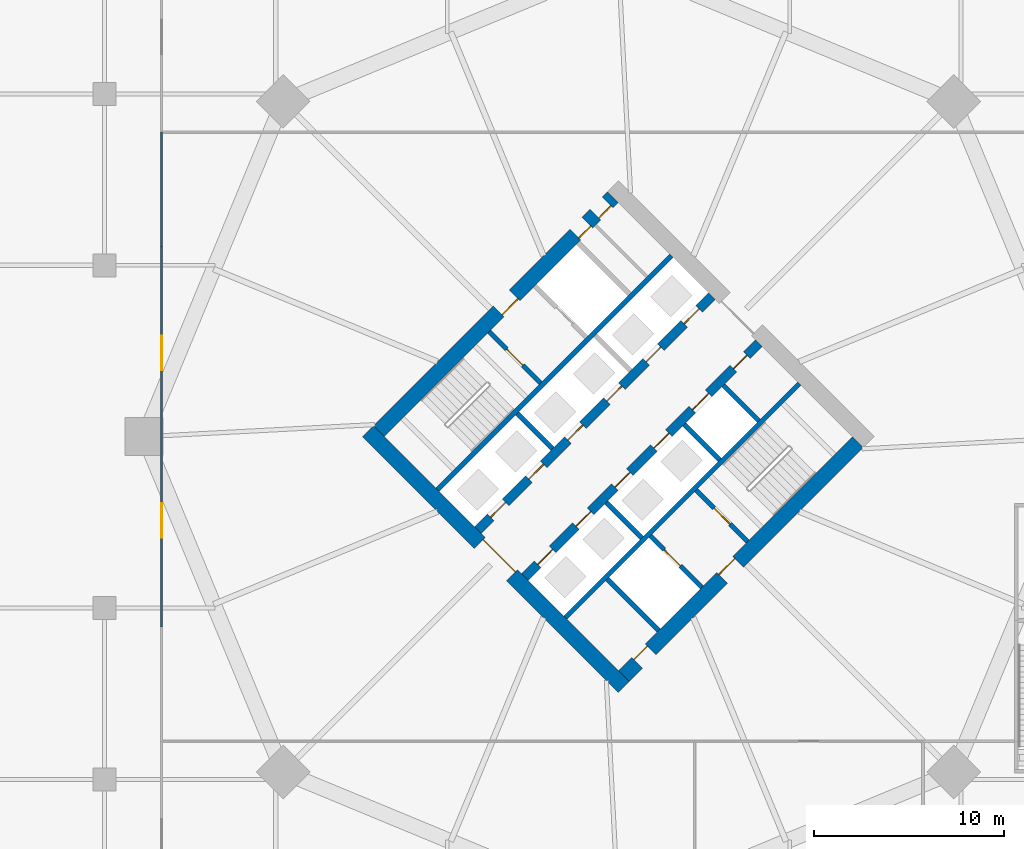
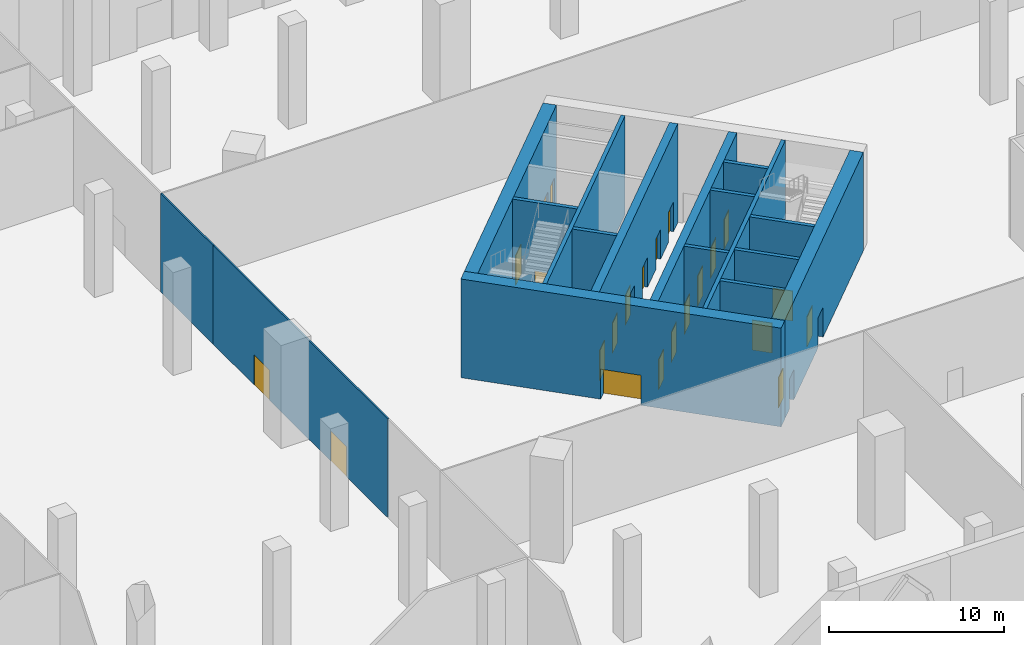
# One storey, part 29 of 48: 23 doors, 17 walls, 23 openings.
"""IFC4 building model written with IfcOpenShell, lengths in metres."""

from ifc_helpers import new_model, si_unit, direction, frame, frame_2d, origin, place, context, subcontext, project, spatial, rectangle, extrude, material, layer, layer_set, type_object, element, fill, save


model = new_model("IFC4")

# Units and contexts
model_context = context("Model", 3, precision=1e-05, world=origin(), true_north=direction((0.0, 1.0)))
body_context = subcontext(model_context, "Body", "Model", "MODEL_VIEW")
ifc_project = project(units=[si_unit("LENGTHUNIT", "METRE"), si_unit("AREAUNIT", "SQUARE_METRE"), si_unit("VOLUMEUNIT", "CUBIC_METRE"), si_unit("PLANEANGLEUNIT", "RADIAN"), si_unit("MASSUNIT", "GRAM", prefix="KILO")], contexts=[model_context])

# Site, building, storey
site_placement = place(None, origin())
site = spatial("IfcSite", under=ifc_project, at=site_placement, CompositionType="ELEMENT")
building_placement = place(site_placement, origin())
building = spatial("IfcBuilding", under=site, at=building_placement, Name="Ogive Gate Towers", CompositionType="ELEMENT")
storey_placement = place(building_placement, origin())
storey = spatial("IfcBuildingStorey", under=building, at=storey_placement, Name="L00", CompositionType="ELEMENT", Elevation=0.0)

# Wall, openings, doors
ifc_material_1 = material(Name="Concrete C60/75", Category="concrete")
ifc_layer_1 = layer(ifc_material_1, 0.800048828125)
ifc_layer_set_1 = layer_set([ifc_layer_1], Name="Core wall 800 mm")
wall_type_1 = type_object("IfcWallType", Name="Core wall 800 mm", PredefinedType="SHEAR", material=ifc_layer_set_1)
wall_1_placement = place(storey_placement, frame((36.28271484375, -12.58642578125, 0.0), z_axis=(0.0, 0.0, 1.0), x_axis=(0.707106781187, 0.707106781187, 0.0)))
wall_1 = element("IfcWall", 1, at=wall_1_placement, inside=storey, type_object=wall_type_1, Name="T2 L00 Core wall 800 mm", PredefinedType="SHEAR", context=body_context, shape_type="SweptSolid", body=[
    extrude(rectangle(XDim=17.400146484375, YDim=0.800048828125, at=frame_2d((8.7001953125, 0.0))), origin(), (0.0, 0.0, 1.0), 6.89990234375),
])
opening_1_placement = place(wall_1_placement, frame((7.300048828125, 0.0, 0.0)))
opening_1 = element("IfcOpeningElement", 2, at=opening_1_placement, cuts=wall_1, Name="Opening KD-T2-L00-20", PredefinedType="OPENING", context=body_context, shape_type="SweptSolid", body=[
    extrude(rectangle(XDim=1.199951171875, YDim=2.10009765625, at=frame_2d((0.60009765625, 1.050048828125))), frame((0.0, 0.41015625, 0.0), z_axis=(0.0, -1.0, 0.0), x_axis=(1.0, 0.0, 0.0)), (0.0, 0.0, 1.0), 0.820068359375),
])
opening_2_placement = place(wall_1_placement, frame((1.0, 0.0, 0.0)))
opening_2 = element("IfcOpeningElement", 3, at=opening_2_placement, cuts=wall_1, Name="Opening KD-T2-L00-23", PredefinedType="OPENING", context=body_context, shape_type="SweptSolid", body=[
    extrude(rectangle(XDim=1.0, YDim=2.10009765625, at=frame_2d((0.5, 1.050048828125))), frame((0.0, 0.41015625, 0.0), z_axis=(0.0, -1.0, 0.0), x_axis=(1.0, 0.0, 0.0)), (0.0, 0.0, 1.0), 0.820068359375),
])
ifc_material_2 = material(Name="Timber door", Category="wood")
door_type_1 = type_object("IfcDoorType", Name="Accessible WC door 1000 x 2100", OperationType="NOTDEFINED", PredefinedType="DOOR", material=ifc_material_2)
door_1_placement = place(opening_2_placement, origin())
door_1 = element("IfcDoor", 4, at=door_1_placement, inside=storey, type_object=door_type_1, Name="T2 L00 Core door", OperationType="SINGLE_SWING_RIGHT", OverallHeight=2.10009765625, OverallWidth=1.0, PredefinedType="DOOR", context=body_context, shape_type="SweptSolid", body=[
    extrude(rectangle(XDim=1.0, YDim=2.10009765625, at=frame_2d((0.5, 1.050048828125))), frame((0.0, 0.27490234375, 0.0), z_axis=(0.0, -1.0, 0.0), x_axis=(1.0, 0.0, 0.0)), (0.0, 0.0, 1.0), 0.050048828125),
])
fill(opening_2, door_1)
ifc_material_3 = material(Name="Steel fire door", Category="steel")
door_type_2 = type_object("IfcDoorType", Name="Core door FD60S 1200 x 2100", OperationType="NOTDEFINED", PredefinedType="DOOR", material=ifc_material_3)
door_2_placement = place(opening_1_placement, origin())
door_2 = element("IfcDoor", 5, at=door_2_placement, inside=storey, type_object=door_type_2, Name="T2 L00 Fire-fighting lobby door", OperationType="SINGLE_SWING_LEFT", OverallHeight=2.10009765625, OverallWidth=1.199951171875, PredefinedType="DOOR", context=body_context, shape_type="SweptSolid", body=[
    extrude(rectangle(XDim=1.199951171875, YDim=2.10009765625, at=frame_2d((0.60009765625, 1.050048828125))), frame((0.0, 0.27490234375, 0.0), z_axis=(0.0, -1.0, 0.0), x_axis=(1.0, 0.0, 0.0)), (0.0, 0.0, 1.0), 0.050048828125),
])
fill(opening_1, door_2)

wall_2_placement = place(storey_placement, frame((23.41357421875, 0.28271484375, 0.0), z_axis=(0.0, 0.0, 1.0), x_axis=(0.707106781187, 0.707106781187, 0.0)))
wall_2 = element("IfcWall", 6, at=wall_2_placement, inside=storey, type_object=wall_type_1, Name="T2 L00 Core wall 800 mm", PredefinedType="SHEAR", context=body_context, shape_type="SweptSolid", body=[
    extrude(rectangle(XDim=17.400146484375, YDim=0.800048828125, at=frame_2d((8.7001953125, 0.0))), origin(), (0.0, 0.0, 1.0), 6.89990234375),
])
opening_3_placement = place(wall_2_placement, frame((8.89990234375, 0.0, 0.0)))
opening_3 = element("IfcOpeningElement", 7, at=opening_3_placement, cuts=wall_2, Name="Opening KD-T2-L00-19", PredefinedType="OPENING", context=body_context, shape_type="SweptSolid", body=[
    extrude(rectangle(XDim=1.199951171875, YDim=2.10009765625, at=frame_2d((0.60009765625, 1.050048828125))), frame((0.0, 0.41015625, 0.0), z_axis=(0.0, -1.0, 0.0), x_axis=(1.0, 0.0, 0.0)), (0.0, 0.0, 1.0), 0.820068359375),
])
opening_4_placement = place(wall_2_placement, frame((14.60009765625, 0.0, 0.0)))
opening_4 = element("IfcOpeningElement", 8, at=opening_4_placement, cuts=wall_2, Name="Opening KD-T2-L00-21", PredefinedType="OPENING", context=body_context, shape_type="SweptSolid", body=[
    extrude(rectangle(XDim=0.89990234375, YDim=2.10009765625, at=frame_2d((0.449951171875, 1.050048828125))), frame((0.0, 0.41015625, 0.0), z_axis=(0.0, -1.0, 0.0), x_axis=(1.0, 0.0, 0.0)), (0.0, 0.0, 1.0), 0.820068359375),
])
opening_5_placement = place(wall_2_placement, frame((16.10009765625, 0.0, 0.0)))
opening_5 = element("IfcOpeningElement", 9, at=opening_5_placement, cuts=wall_2, Name="Opening KD-T2-L00-22", PredefinedType="OPENING", context=body_context, shape_type="SweptSolid", body=[
    extrude(rectangle(XDim=0.89990234375, YDim=2.10009765625, at=frame_2d((0.449951171875, 1.050048828125))), frame((0.0, 0.41015625, 0.0), z_axis=(0.0, -1.0, 0.0), x_axis=(1.0, 0.0, 0.0)), (0.0, 0.0, 1.0), 0.820068359375),
])
door_type_3 = type_object("IfcDoorType", Name="Core WC door 900 x 2100", OperationType="NOTDEFINED", PredefinedType="DOOR", material=ifc_material_2)
door_3_placement = place(opening_4_placement, origin())
door_3 = element("IfcDoor", 10, at=door_3_placement, inside=storey, type_object=door_type_3, Name="T2 L00 Core door", OperationType="SINGLE_SWING_RIGHT", OverallHeight=2.10009765625, OverallWidth=0.89990234375, PredefinedType="DOOR", context=body_context, shape_type="SweptSolid", body=[
    extrude(rectangle(XDim=0.89990234375, YDim=2.10009765625, at=frame_2d((0.449951171875, 1.050048828125))), frame((0.0, -0.22509765625, 0.0), z_axis=(0.0, -1.0, 0.0), x_axis=(1.0, 0.0, 0.0)), (0.0, 0.0, 1.0), 0.050048828125),
])
fill(opening_4, door_3)
door_4_placement = place(opening_5_placement, origin())
door_4 = element("IfcDoor", 11, at=door_4_placement, inside=storey, type_object=door_type_3, Name="T2 L00 Core door", OperationType="SINGLE_SWING_LEFT", OverallHeight=2.10009765625, OverallWidth=0.89990234375, PredefinedType="DOOR", context=body_context, shape_type="SweptSolid", body=[
    extrude(rectangle(XDim=0.89990234375, YDim=2.10009765625, at=frame_2d((0.449951171875, 1.050048828125))), frame((0.0, -0.22509765625, 0.0), z_axis=(0.0, -1.0, 0.0), x_axis=(1.0, 0.0, 0.0)), (0.0, 0.0, 1.0), 0.050048828125),
])
fill(opening_5, door_4)
door_5_placement = place(opening_3_placement, origin())
door_5 = element("IfcDoor", 12, at=door_5_placement, inside=storey, type_object=door_type_2, Name="T2 L00 Fire-fighting lobby door", OperationType="SINGLE_SWING_RIGHT", OverallHeight=2.10009765625, OverallWidth=1.199951171875, PredefinedType="DOOR", context=body_context, shape_type="SweptSolid", body=[
    extrude(rectangle(XDim=1.199951171875, YDim=2.10009765625, at=frame_2d((0.60009765625, 1.050048828125))), frame((0.0, -0.22509765625, 0.0), z_axis=(0.0, -1.0, 0.0), x_axis=(1.0, 0.0, 0.0)), (0.0, 0.0, 1.0), 0.050048828125),
])
fill(opening_3, door_5)

# Wall, opening, door
wall_3_placement = place(storey_placement, frame((36.28271484375, -13.152099609375, 0.0), z_axis=(0.0, 0.0, 1.0), x_axis=(-0.707106781187, 0.707106781187, 0.0)))
wall_3 = element("IfcWall", 13, at=wall_3_placement, inside=storey, type_object=wall_type_1, Name="T2 L00 Core wall 800 mm", PredefinedType="SHEAR", context=body_context, shape_type="SweptSolid", body=[
    extrude(rectangle(XDim=18.999755859375, YDim=0.800048828125, at=frame_2d((9.5, 0.0))), origin(), (0.0, 0.0, 1.0), 6.89990234375),
])
opening_6_placement = place(wall_3_placement, frame((8.300048828125, 0.0, 0.0)))
opening_6 = element("IfcOpeningElement", 14, at=opening_6_placement, cuts=wall_3, Name="Opening KD-T2-L00-01", PredefinedType="OPENING", context=body_context, shape_type="SweptSolid", body=[
    extrude(rectangle(XDim=2.39990234375, YDim=2.10009765625, at=frame_2d((1.199951171875, 1.050048828125))), frame((0.0, 0.41015625, 0.0), z_axis=(0.0, -1.0, 0.0), x_axis=(1.0, 0.0, 0.0)), (0.0, 0.0, 1.0), 0.820068359375),
])
door_type_4 = type_object("IfcDoorType", Name="Core double door FD60S 2400 x 2100", OperationType="DOUBLE_DOOR_SINGLE_SWING", PredefinedType="DOOR", material=ifc_material_3)
door_6_placement = place(opening_6_placement, origin())
door_6 = element("IfcDoor", 15, at=door_6_placement, inside=storey, type_object=door_type_4, Name="T2 L00 Core door double", OperationType="DOUBLE_DOOR_SINGLE_SWING", OverallHeight=2.10009765625, OverallWidth=2.39990234375, PredefinedType="DOOR", context=body_context, shape_type="SweptSolid", body=[
    extrude(rectangle(XDim=2.39990234375, YDim=2.10009765625, at=frame_2d((1.199951171875, 1.050048828125))), frame((0.0, -0.22509765625, 0.0), z_axis=(0.0, -1.0, 0.0), x_axis=(1.0, 0.0, 0.0)), (0.0, 0.0, 1.0), 0.050048828125),
])
fill(opening_6, door_6)

# Wall
ifc_material_4 = material(Name="Gypsum board partition")
ifc_layer_2 = layer(ifc_material_4, 0.10009765625)
ifc_layer_set_2 = layer_set([ifc_layer_2], Name="Partition wall 100")
wall_type_2 = type_object("IfcWallType", Name="Partition wall 100", PredefinedType="PARTITIONING", material=ifc_layer_set_2)
wall_4_placement = place(storey_placement, frame((12.0, 10.0, 0.0), z_axis=(0.0, 0.0, 1.0), x_axis=(0.0, 1.0, 0.0)))
element("IfcWall", 16, at=wall_4_placement, inside=storey, type_object=wall_type_2, Name="L00 partition 025", PredefinedType="PARTITIONING", context=body_context, shape_type="SweptSolid", body=[
    extrude(rectangle(XDim=6.0, YDim=0.10009765625, at=frame_2d((3.0, 0.0))), origin(), (0.0, 0.0, 1.0), 6.89990234375),
])

# Wall, openings, doors
wall_5_placement = place(storey_placement, frame((12.0, -10.0, 0.0), z_axis=(0.0, 0.0, 1.0), x_axis=(0.0, 1.0, 0.0)))
wall_5 = element("IfcWall", 17, at=wall_5_placement, inside=storey, type_object=wall_type_2, Name="L00 partition 035", PredefinedType="PARTITIONING", context=body_context, shape_type="SweptSolid", body=[
    extrude(rectangle(XDim=20.0, YDim=0.10009765625, at=frame_2d((10.0, 0.0))), origin(), (0.0, 0.0, 1.0), 6.89990234375),
])
opening_7_placement = place(wall_5_placement, frame((4.699951171875, 0.0, 0.0)))
opening_7 = element("IfcOpeningElement", 18, at=opening_7_placement, cuts=wall_5, Name="Opening PO114", PredefinedType="OPENING", context=body_context, shape_type="SweptSolid", body=[
    extrude(rectangle(XDim=1.800048828125, YDim=2.10009765625, at=frame_2d((0.89990234375, 1.050048828125))), frame((0.0, 0.06005859375, 0.0), z_axis=(0.0, -1.0, 0.0), x_axis=(1.0, 0.0, 0.0)), (0.0, 0.0, 1.0), 0.1201171875),
])
opening_8_placement = place(wall_5_placement, frame((13.5, 0.0, 0.0)))
opening_8 = element("IfcOpeningElement", 19, at=opening_8_placement, cuts=wall_5, Name="Opening PO115", PredefinedType="OPENING", context=body_context, shape_type="SweptSolid", body=[
    extrude(rectangle(XDim=1.800048828125, YDim=2.10009765625, at=frame_2d((0.89990234375, 1.050048828125))), frame((0.0, 0.06005859375, 0.0), z_axis=(0.0, -1.0, 0.0), x_axis=(1.0, 0.0, 0.0)), (0.0, 0.0, 1.0), 0.1201171875),
])
door_type_5 = type_object("IfcDoorType", Name="Double door 1800 x 2100", OperationType="NOTDEFINED", PredefinedType="DOOR", material=ifc_material_2)
door_7_placement = place(opening_7_placement, origin())
door_7 = element("IfcDoor", 20, at=door_7_placement, inside=storey, type_object=door_type_5, Name="Door PO114", OperationType="DOUBLE_DOOR_DOUBLE_SWING", OverallHeight=2.10009765625, OverallWidth=1.800048828125, PredefinedType="DOOR", context=body_context, shape_type="SweptSolid", body=[
    extrude(rectangle(XDim=1.800048828125, YDim=2.10009765625, at=frame_2d((0.89990234375, 1.050048828125))), frame((0.0, 0.02490234375, 0.0), z_axis=(0.0, -1.0, 0.0), x_axis=(1.0, 0.0, 0.0)), (0.0, 0.0, 1.0), 0.050048828125),
])
fill(opening_7, door_7)
door_8_placement = place(opening_8_placement, origin())
door_8 = element("IfcDoor", 21, at=door_8_placement, inside=storey, type_object=door_type_5, Name="Door PO115", OperationType="DOUBLE_DOOR_DOUBLE_SWING", OverallHeight=2.10009765625, OverallWidth=1.800048828125, PredefinedType="DOOR", context=body_context, shape_type="SweptSolid", body=[
    extrude(rectangle(XDim=1.800048828125, YDim=2.10009765625, at=frame_2d((0.89990234375, 1.050048828125))), frame((0.0, 0.02490234375, 0.0), z_axis=(0.0, -1.0, 0.0), x_axis=(1.0, 0.0, 0.0)), (0.0, 0.0, 1.0), 0.050048828125),
])
fill(opening_8, door_8)

# Walls
ifc_layer_3 = layer(ifc_material_1, 0.25)
ifc_layer_set_3 = layer_set([ifc_layer_3], Name="Shaft wall 250 mm")
wall_type_3 = type_object("IfcWallType", Name="Shaft wall 250 mm", PredefinedType="SHEAR", material=ifc_layer_set_3)
for number, where, z_axis, x_axis, name in (
    (22, (33.206787109375, -9.510498046875, 0.0), (0.0, 0.0, 1.0), (0.707106781187, 0.707106781187, 0.0), "T2 L00 Shaft wall 250 mm"),
    (23, (26.489501953125, -2.793212890625, 0.0), (0.0, 0.0, 1.0), (0.707106781187, 0.707106781187, 0.0), "T2 L00 Shaft wall 250 mm"),
):
    element("IfcWall", number, at=place(storey_placement, frame(where, z_axis=z_axis, x_axis=x_axis)), inside=storey, type_object=wall_type_3, Name=name, PredefinedType="SHEAR", context=body_context, shape_type="SweptSolid", body=[
        extrude(rectangle(XDim=17.400146484375, YDim=0.25, at=frame_2d((8.7001953125, 0.0))), origin(), (0.0, 0.0, 1.0), 6.89990234375),
    ])
wall_6_placement = place(storey_placement, frame((38.121337890625, -10.182373046875, 0.0), z_axis=(0.0, 0.0, 1.0), x_axis=(-0.707138693938, 0.707074866995, 0.0)))
element("IfcWall", 24, at=wall_6_placement, inside=storey, type_object=wall_type_3, Name="T2 L00 Shaft wall 250 mm", PredefinedType="SHEAR", context=body_context, shape_type="SweptSolid", body=[
    extrude(rectangle(XDim=3.824951171875, YDim=0.25, at=frame_2d((1.91259765625, 0.0))), origin(), (0.0, 0.0, 1.0), 6.89990234375),
])
for number, where, z_axis, x_axis, name in (
    (25, (37.2197265625, -5.321044921875, 0.0), (0.0, 0.0, 1.0), (-0.707106781187, 0.707106781187, 0.0), "T2 L00 Shaft wall 250 mm"),
    (26, (32.53515625, -0.636474609375, 0.0), (0.0, 0.0, 1.0), (-0.707106781187, 0.707106781187, 0.0), "T2 L00 Shaft wall 250 mm"),
):
    element("IfcWall", number, at=place(storey_placement, frame(where, z_axis=z_axis, x_axis=x_axis)), inside=storey, type_object=wall_type_3, Name=name, PredefinedType="SHEAR", context=body_context, shape_type="SweptSolid", body=[
        extrude(rectangle(XDim=2.625, YDim=0.25, at=frame_2d((1.3125, 0.0))), origin(), (0.0, 0.0, 1.0), 6.89990234375),
    ])

# Wall, opening, door
wall_7_placement = place(storey_placement, frame((40.384033203125, -7.919677734375, 0.0), z_axis=(0.0, 0.0, 1.0), x_axis=(-0.707074866995, 0.707138693938, 0.0)))
wall_7 = element("IfcWall", 27, at=wall_7_placement, inside=storey, type_object=wall_type_3, Name="T2 L00 Shaft wall 250 mm", PredefinedType="SHEAR", context=body_context, shape_type="SweptSolid", body=[
    extrude(rectangle(XDim=3.824951171875, YDim=0.25, at=frame_2d((1.91259765625, 0.0))), origin(), (0.0, 0.0, 1.0), 6.89990234375),
])
opening_9_placement = place(wall_7_placement, frame((1.60009765625, 0.0, 0.0)))
opening_9 = element("IfcOpeningElement", 28, at=opening_9_placement, cuts=wall_7, Name="Opening LD-T2-L00-15", PredefinedType="OPENING", context=body_context, shape_type="SweptSolid", body=[
    extrude(rectangle(XDim=1.199951171875, YDim=2.10009765625, at=frame_2d((0.60009765625, 1.050048828125))), frame((0.0, 0.135009765625, 0.0), z_axis=(0.0, -1.0, 0.0), x_axis=(1.0, 0.0, 0.0)), (0.0, 0.0, 1.0), 0.27001953125),
])
ifc_material_5 = material(Name="Stainless steel landing door", Category="steel")
door_type_6 = type_object("IfcDoorType", Name="Landing door 1200 x 2100", OperationType="SLIDING_TO_LEFT", PredefinedType="DOOR", material=ifc_material_5)
door_9_placement = place(opening_9_placement, origin())
door_9 = element("IfcDoor", 29, at=door_9_placement, inside=storey, type_object=door_type_6, Name="T2 L00 Lift landing door FF2", OperationType="SLIDING_TO_LEFT", OverallHeight=2.10009765625, OverallWidth=1.199951171875, PredefinedType="DOOR", context=body_context, shape_type="SweptSolid", body=[
    extrude(rectangle(XDim=1.199951171875, YDim=2.10009765625, at=frame_2d((0.60009765625, 1.050048828125))), frame((0.0, 0.02490234375, 0.0), z_axis=(0.0, -1.0, 0.0), x_axis=(1.0, 0.0, 0.0)), (0.0, 0.0, 1.0), 0.050048828125),
])
fill(opening_9, door_9)

wall_8_placement = place(storey_placement, frame((31.91650390625, 2.810791015625, 0.0), z_axis=(0.0, 0.0, 1.0), x_axis=(-0.707106781187, 0.707106781187, 0.0)))
wall_8 = element("IfcWall", 30, at=wall_8_placement, inside=storey, type_object=wall_type_3, Name="T2 L00 Shaft wall 250 mm", PredefinedType="SHEAR", context=body_context, shape_type="SweptSolid", body=[
    extrude(rectangle(XDim=3.824951171875, YDim=0.25, at=frame_2d((1.91259765625, 0.0))), origin(), (0.0, 0.0, 1.0), 6.89990234375),
])
opening_10_placement = place(wall_8_placement, frame((1.324951171875, 0.0, 0.0)))
opening_10 = element("IfcOpeningElement", 31, at=opening_10_placement, cuts=wall_8, Name="Opening KD-T2-L00-17", PredefinedType="OPENING", context=body_context, shape_type="SweptSolid", body=[
    extrude(rectangle(XDim=1.199951171875, YDim=2.10009765625, at=frame_2d((0.60009765625, 1.050048828125))), frame((0.0, 0.135009765625, 0.0), z_axis=(0.0, -1.0, 0.0), x_axis=(1.0, 0.0, 0.0)), (0.0, 0.0, 1.0), 0.27001953125),
])
door_10_placement = place(opening_10_placement, origin())
door_10 = element("IfcDoor", 32, at=door_10_placement, inside=storey, type_object=door_type_2, Name="T2 L00 Stair door", OperationType="SINGLE_SWING_RIGHT", OverallHeight=2.10009765625, OverallWidth=1.199951171875, PredefinedType="DOOR", context=body_context, shape_type="SweptSolid", body=[
    extrude(rectangle(XDim=1.199951171875, YDim=2.10009765625, at=frame_2d((0.60009765625, 1.050048828125))), frame((0.0, 0.02490234375, 0.0), z_axis=(0.0, -1.0, 0.0), x_axis=(1.0, 0.0, 0.0)), (0.0, 0.0, 1.0), 0.050048828125),
])
fill(opening_10, door_10)

wall_9_placement = place(storey_placement, frame((42.7880859375, -5.515380859375, 0.0), z_axis=(0.0, 0.0, 1.0), x_axis=(-0.707106781187, 0.707106781187, 0.0)))
wall_9 = element("IfcWall", 33, at=wall_9_placement, inside=storey, type_object=wall_type_3, Name="T2 L00 Shaft wall 250 mm", PredefinedType="SHEAR", context=body_context, shape_type="SweptSolid", body=[
    extrude(rectangle(XDim=3.824951171875, YDim=0.25, at=frame_2d((1.91259765625, 0.0))), origin(), (0.0, 0.0, 1.0), 6.89990234375),
])
opening_11_placement = place(wall_9_placement, frame((1.300048828125, 0.0, 0.0)))
opening_11 = element("IfcOpeningElement", 34, at=opening_11_placement, cuts=wall_9, Name="Opening KD-T2-L00-18", PredefinedType="OPENING", context=body_context, shape_type="SweptSolid", body=[
    extrude(rectangle(XDim=1.199951171875, YDim=2.10009765625, at=frame_2d((0.60009765625, 1.050048828125))), frame((0.0, 0.135009765625, 0.0), z_axis=(0.0, -1.0, 0.0), x_axis=(1.0, 0.0, 0.0)), (0.0, 0.0, 1.0), 0.27001953125),
])
door_11_placement = place(opening_11_placement, origin())
door_11 = element("IfcDoor", 35, at=door_11_placement, inside=storey, type_object=door_type_2, Name="T2 L00 Stair door", OperationType="SINGLE_SWING_LEFT", OverallHeight=2.10009765625, OverallWidth=1.199951171875, PredefinedType="DOOR", context=body_context, shape_type="SweptSolid", body=[
    extrude(rectangle(XDim=1.199951171875, YDim=2.10009765625, at=frame_2d((0.60009765625, 1.050048828125))), frame((0.0, 0.02490234375, 0.0), z_axis=(0.0, -1.0, 0.0), x_axis=(1.0, 0.0, 0.0)), (0.0, 0.0, 1.0), 0.050048828125),
])
fill(opening_11, door_11)

# Walls
for number, where, z_axis, x_axis, name in (
    (36, (41.321044921875, -1.2197265625, 0.0), (0.0, 0.0, 1.0), (-0.707106781187, 0.707106781187, 0.0), "T2 L00 Shaft wall 250 mm"),
    (37, (43.37158203125, 0.830810546875, 0.0), (0.0, 0.0, 1.0), (-0.707106781187, 0.707106781187, 0.0), "T2 L00 Shaft wall 250 mm"),
):
    element("IfcWall", number, at=place(storey_placement, frame(where, z_axis=z_axis, x_axis=x_axis)), inside=storey, type_object=wall_type_3, Name=name, PredefinedType="SHEAR", context=body_context, shape_type="SweptSolid", body=[
        extrude(rectangle(XDim=2.625, YDim=0.25, at=frame_2d((1.3125, 0.0))), origin(), (0.0, 0.0, 1.0), 6.89990234375),
    ])

# Wall, openings, doors
ifc_layer_4 = layer(ifc_material_1, 0.5)
ifc_layer_set_4 = layer_set([ifc_layer_4], Name="Spine wall 500 mm")
wall_type_4 = type_object("IfcWallType", Name="Spine wall 500 mm", PredefinedType="SHEAR", material=ifc_layer_set_4)
wall_10_placement = place(storey_placement, frame((31.085693359375, -7.389404296875, 0.0), z_axis=(0.0, 0.0, 1.0), x_axis=(0.707106781187, 0.707106781187, 0.0)))
wall_10 = element("IfcWall", 38, at=wall_10_placement, inside=storey, type_object=wall_type_4, Name="T2 L00 Spine wall 500 mm", PredefinedType="SHEAR", context=body_context, shape_type="SweptSolid", body=[
    extrude(rectangle(XDim=17.400146484375, YDim=0.5, at=frame_2d((8.7001953125, 0.0))), origin(), (0.0, 0.0, 1.0), 6.89990234375),
])
opening_12_placement = place(wall_10_placement, frame((0.96240234375, 0.0, 0.0)))
opening_12 = element("IfcOpeningElement", 39, at=opening_12_placement, cuts=wall_10, Name="Opening LD-T2-L00-09", PredefinedType="OPENING", context=body_context, shape_type="SweptSolid", body=[
    extrude(rectangle(XDim=1.10009765625, YDim=2.10009765625, at=frame_2d((0.550048828125, 1.050048828125))), frame((0.0, 0.260009765625, 0.0), z_axis=(0.0, -1.0, 0.0), x_axis=(1.0, 0.0, 0.0)), (0.0, 0.0, 1.0), 0.52001953125),
])
opening_13_placement = place(wall_10_placement, frame((3.800048828125, 0.0, 0.0)))
opening_13 = element("IfcOpeningElement", 40, at=opening_13_placement, cuts=wall_10, Name="Opening LD-T2-L00-10", PredefinedType="OPENING", context=body_context, shape_type="SweptSolid", body=[
    extrude(rectangle(XDim=1.10009765625, YDim=2.10009765625, at=frame_2d((0.550048828125, 1.050048828125))), frame((0.0, 0.260009765625, 0.0), z_axis=(0.0, -1.0, 0.0), x_axis=(1.0, 0.0, 0.0)), (0.0, 0.0, 1.0), 0.52001953125),
])
opening_14_placement = place(wall_10_placement, frame((6.699951171875, 0.0, 0.0)))
opening_14 = element("IfcOpeningElement", 41, at=opening_14_placement, cuts=wall_10, Name="Opening LD-T2-L00-11", PredefinedType="OPENING", context=body_context, shape_type="SweptSolid", body=[
    extrude(rectangle(XDim=1.10009765625, YDim=2.10009765625, at=frame_2d((0.550048828125, 1.050048828125))), frame((0.0, 0.260009765625, 0.0), z_axis=(0.0, -1.0, 0.0), x_axis=(1.0, 0.0, 0.0)), (0.0, 0.0, 1.0), 0.52001953125),
])
opening_15_placement = place(wall_10_placement, frame((9.60009765625, 0.0, 0.0)))
opening_15 = element("IfcOpeningElement", 42, at=opening_15_placement, cuts=wall_10, Name="Opening LD-T2-L00-12", PredefinedType="OPENING", context=body_context, shape_type="SweptSolid", body=[
    extrude(rectangle(XDim=1.10009765625, YDim=2.10009765625, at=frame_2d((0.550048828125, 1.050048828125))), frame((0.0, 0.260009765625, 0.0), z_axis=(0.0, -1.0, 0.0), x_axis=(1.0, 0.0, 0.0)), (0.0, 0.0, 1.0), 0.52001953125),
])
opening_16_placement = place(wall_10_placement, frame((12.449951171875, 0.0, 0.0)))
opening_16 = element("IfcOpeningElement", 43, at=opening_16_placement, cuts=wall_10, Name="Opening LD-T2-L00-13", PredefinedType="OPENING", context=body_context, shape_type="SweptSolid", body=[
    extrude(rectangle(XDim=1.199951171875, YDim=2.10009765625, at=frame_2d((0.60009765625, 1.050048828125))), frame((0.0, 0.260009765625, 0.0), z_axis=(0.0, -1.0, 0.0), x_axis=(1.0, 0.0, 0.0)), (0.0, 0.0, 1.0), 0.52001953125),
])
opening_17_placement = place(wall_10_placement, frame((15.5, 0.0, 0.0)))
opening_17 = element("IfcOpeningElement", 44, at=opening_17_placement, cuts=wall_10, Name="Opening KD-T2-L00-16", PredefinedType="OPENING", context=body_context, shape_type="SweptSolid", body=[
    extrude(rectangle(XDim=1.0, YDim=2.10009765625, at=frame_2d((0.5, 1.050048828125))), frame((0.0, 0.260009765625, 0.0), z_axis=(0.0, -1.0, 0.0), x_axis=(1.0, 0.0, 0.0)), (0.0, 0.0, 1.0), 0.52001953125),
])
door_type_7 = type_object("IfcDoorType", Name="Core door FD60S 1000 x 2100", OperationType="NOTDEFINED", PredefinedType="DOOR", material=ifc_material_3)
door_12_placement = place(opening_17_placement, origin())
door_12 = element("IfcDoor", 45, at=door_12_placement, inside=storey, type_object=door_type_7, Name="T2 L00 Core door", OperationType="SINGLE_SWING_LEFT", OverallHeight=2.10009765625, OverallWidth=1.0, PredefinedType="DOOR", context=body_context, shape_type="SweptSolid", body=[
    extrude(rectangle(XDim=1.0, YDim=2.10009765625, at=frame_2d((0.5, 1.050048828125))), frame((0.0, 0.02490234375, 0.0), z_axis=(0.0, -1.0, 0.0), x_axis=(1.0, 0.0, 0.0)), (0.0, 0.0, 1.0), 0.050048828125),
])
fill(opening_17, door_12)
door_type_8 = type_object("IfcDoorType", Name="Landing door 1100 x 2100", OperationType="SLIDING_TO_LEFT", PredefinedType="DOOR", material=ifc_material_5)
door_13_placement = place(opening_12_placement, origin())
door_13 = element("IfcDoor", 46, at=door_13_placement, inside=storey, type_object=door_type_8, Name="T2 L00 Lift landing door S1", OperationType="SLIDING_TO_LEFT", OverallHeight=2.10009765625, OverallWidth=1.10009765625, PredefinedType="DOOR", context=body_context, shape_type="SweptSolid", body=[
    extrude(rectangle(XDim=1.10009765625, YDim=2.10009765625, at=frame_2d((0.550048828125, 1.050048828125))), frame((0.0, 0.02490234375, 0.0), z_axis=(0.0, -1.0, 0.0), x_axis=(1.0, 0.0, 0.0)), (0.0, 0.0, 1.0), 0.050048828125),
])
fill(opening_12, door_13)
door_14_placement = place(opening_13_placement, origin())
door_14 = element("IfcDoor", 47, at=door_14_placement, inside=storey, type_object=door_type_8, Name="T2 L00 Lift landing door S2", OperationType="SLIDING_TO_LEFT", OverallHeight=2.10009765625, OverallWidth=1.10009765625, PredefinedType="DOOR", context=body_context, shape_type="SweptSolid", body=[
    extrude(rectangle(XDim=1.10009765625, YDim=2.10009765625, at=frame_2d((0.550048828125, 1.050048828125))), frame((0.0, 0.02490234375, 0.0), z_axis=(0.0, -1.0, 0.0), x_axis=(1.0, 0.0, 0.0)), (0.0, 0.0, 1.0), 0.050048828125),
])
fill(opening_13, door_14)
door_15_placement = place(opening_14_placement, origin())
door_15 = element("IfcDoor", 48, at=door_15_placement, inside=storey, type_object=door_type_8, Name="T2 L00 Lift landing door S3", OperationType="SLIDING_TO_LEFT", OverallHeight=2.10009765625, OverallWidth=1.10009765625, PredefinedType="DOOR", context=body_context, shape_type="SweptSolid", body=[
    extrude(rectangle(XDim=1.10009765625, YDim=2.10009765625, at=frame_2d((0.550048828125, 1.050048828125))), frame((0.0, 0.02490234375, 0.0), z_axis=(0.0, -1.0, 0.0), x_axis=(1.0, 0.0, 0.0)), (0.0, 0.0, 1.0), 0.050048828125),
])
fill(opening_14, door_15)
door_16_placement = place(opening_15_placement, origin())
door_16 = element("IfcDoor", 49, at=door_16_placement, inside=storey, type_object=door_type_8, Name="T2 L00 Lift landing door S4", OperationType="SLIDING_TO_LEFT", OverallHeight=2.10009765625, OverallWidth=1.10009765625, PredefinedType="DOOR", context=body_context, shape_type="SweptSolid", body=[
    extrude(rectangle(XDim=1.10009765625, YDim=2.10009765625, at=frame_2d((0.550048828125, 1.050048828125))), frame((0.0, 0.02490234375, 0.0), z_axis=(0.0, -1.0, 0.0), x_axis=(1.0, 0.0, 0.0)), (0.0, 0.0, 1.0), 0.050048828125),
])
fill(opening_15, door_16)
door_17_placement = place(opening_16_placement, origin())
door_17 = element("IfcDoor", 50, at=door_17_placement, inside=storey, type_object=door_type_6, Name="T2 L00 Lift landing door SVC", OperationType="SLIDING_TO_LEFT", OverallHeight=2.10009765625, OverallWidth=1.199951171875, PredefinedType="DOOR", context=body_context, shape_type="SweptSolid", body=[
    extrude(rectangle(XDim=1.199951171875, YDim=2.10009765625, at=frame_2d((0.60009765625, 1.050048828125))), frame((0.0, 0.02490234375, 0.0), z_axis=(0.0, -1.0, 0.0), x_axis=(1.0, 0.0, 0.0)), (0.0, 0.0, 1.0), 0.050048828125),
])
fill(opening_16, door_17)

wall_11_placement = place(storey_placement, frame((28.610595703125, -4.914306640625, 0.0), z_axis=(0.0, 0.0, 1.0), x_axis=(0.707106781187, 0.707106781187, 0.0)))
wall_11 = element("IfcWall", 51, at=wall_11_placement, inside=storey, type_object=wall_type_4, Name="T2 L00 Spine wall 500 mm", PredefinedType="SHEAR", context=body_context, shape_type="SweptSolid", body=[
    extrude(rectangle(XDim=17.400146484375, YDim=0.5, at=frame_2d((8.7001953125, 0.0))), origin(), (0.0, 0.0, 1.0), 6.89990234375),
])
opening_18_placement = place(wall_11_placement, frame((0.96240234375, 0.0, 0.0)))
opening_18 = element("IfcOpeningElement", 52, at=opening_18_placement, cuts=wall_11, Name="Opening LD-T2-L00-03", PredefinedType="OPENING", context=body_context, shape_type="SweptSolid", body=[
    extrude(rectangle(XDim=1.10009765625, YDim=2.10009765625, at=frame_2d((0.550048828125, 1.050048828125))), frame((0.0, 0.260009765625, 0.0), z_axis=(0.0, -1.0, 0.0), x_axis=(1.0, 0.0, 0.0)), (0.0, 0.0, 1.0), 0.52001953125),
])
opening_19_placement = place(wall_11_placement, frame((3.800048828125, 0.0, 0.0)))
opening_19 = element("IfcOpeningElement", 53, at=opening_19_placement, cuts=wall_11, Name="Opening LD-T2-L00-04", PredefinedType="OPENING", context=body_context, shape_type="SweptSolid", body=[
    extrude(rectangle(XDim=1.10009765625, YDim=2.10009765625, at=frame_2d((0.550048828125, 1.050048828125))), frame((0.0, 0.260009765625, 0.0), z_axis=(0.0, -1.0, 0.0), x_axis=(1.0, 0.0, 0.0)), (0.0, 0.0, 1.0), 0.52001953125),
])
opening_20_placement = place(wall_11_placement, frame((6.699951171875, 0.0, 0.0)))
opening_20 = element("IfcOpeningElement", 54, at=opening_20_placement, cuts=wall_11, Name="Opening LD-T2-L00-05", PredefinedType="OPENING", context=body_context, shape_type="SweptSolid", body=[
    extrude(rectangle(XDim=1.10009765625, YDim=2.10009765625, at=frame_2d((0.550048828125, 1.050048828125))), frame((0.0, 0.260009765625, 0.0), z_axis=(0.0, -1.0, 0.0), x_axis=(1.0, 0.0, 0.0)), (0.0, 0.0, 1.0), 0.52001953125),
])
opening_21_placement = place(wall_11_placement, frame((9.60009765625, 0.0, 0.0)))
opening_21 = element("IfcOpeningElement", 55, at=opening_21_placement, cuts=wall_11, Name="Opening LD-T2-L00-06", PredefinedType="OPENING", context=body_context, shape_type="SweptSolid", body=[
    extrude(rectangle(XDim=1.10009765625, YDim=2.10009765625, at=frame_2d((0.550048828125, 1.050048828125))), frame((0.0, 0.260009765625, 0.0), z_axis=(0.0, -1.0, 0.0), x_axis=(1.0, 0.0, 0.0)), (0.0, 0.0, 1.0), 0.52001953125),
])
opening_22_placement = place(wall_11_placement, frame((12.5, 0.0, 0.0)))
opening_22 = element("IfcOpeningElement", 56, at=opening_22_placement, cuts=wall_11, Name="Opening LD-T2-L00-07", PredefinedType="OPENING", context=body_context, shape_type="SweptSolid", body=[
    extrude(rectangle(XDim=1.10009765625, YDim=2.10009765625, at=frame_2d((0.550048828125, 1.050048828125))), frame((0.0, 0.260009765625, 0.0), z_axis=(0.0, -1.0, 0.0), x_axis=(1.0, 0.0, 0.0)), (0.0, 0.0, 1.0), 0.52001953125),
])
opening_23_placement = place(wall_11_placement, frame((15.33740234375, 0.0, 0.0)))
opening_23 = element("IfcOpeningElement", 57, at=opening_23_placement, cuts=wall_11, Name="Opening LD-T2-L00-08", PredefinedType="OPENING", context=body_context, shape_type="SweptSolid", body=[
    extrude(rectangle(XDim=1.10009765625, YDim=2.10009765625, at=frame_2d((0.550048828125, 1.050048828125))), frame((0.0, 0.260009765625, 0.0), z_axis=(0.0, -1.0, 0.0), x_axis=(1.0, 0.0, 0.0)), (0.0, 0.0, 1.0), 0.52001953125),
])
door_18_placement = place(opening_18_placement, origin())
door_18 = element("IfcDoor", 58, at=door_18_placement, inside=storey, type_object=door_type_8, Name="T2 L00 Lift landing door A1", OperationType="SLIDING_TO_LEFT", OverallHeight=2.10009765625, OverallWidth=1.10009765625, PredefinedType="DOOR", context=body_context, shape_type="SweptSolid", body=[
    extrude(rectangle(XDim=1.10009765625, YDim=2.10009765625, at=frame_2d((0.550048828125, 1.050048828125))), frame((0.0, 0.02490234375, 0.0), z_axis=(0.0, -1.0, 0.0), x_axis=(1.0, 0.0, 0.0)), (0.0, 0.0, 1.0), 0.050048828125),
])
fill(opening_18, door_18)
door_19_placement = place(opening_19_placement, origin())
door_19 = element("IfcDoor", 59, at=door_19_placement, inside=storey, type_object=door_type_8, Name="T2 L00 Lift landing door A2", OperationType="SLIDING_TO_LEFT", OverallHeight=2.10009765625, OverallWidth=1.10009765625, PredefinedType="DOOR", context=body_context, shape_type="SweptSolid", body=[
    extrude(rectangle(XDim=1.10009765625, YDim=2.10009765625, at=frame_2d((0.550048828125, 1.050048828125))), frame((0.0, 0.02490234375, 0.0), z_axis=(0.0, -1.0, 0.0), x_axis=(1.0, 0.0, 0.0)), (0.0, 0.0, 1.0), 0.050048828125),
])
fill(opening_19, door_19)
door_20_placement = place(opening_20_placement, origin())
door_20 = element("IfcDoor", 60, at=door_20_placement, inside=storey, type_object=door_type_8, Name="T2 L00 Lift landing door A3", OperationType="SLIDING_TO_LEFT", OverallHeight=2.10009765625, OverallWidth=1.10009765625, PredefinedType="DOOR", context=body_context, shape_type="SweptSolid", body=[
    extrude(rectangle(XDim=1.10009765625, YDim=2.10009765625, at=frame_2d((0.550048828125, 1.050048828125))), frame((0.0, 0.02490234375, 0.0), z_axis=(0.0, -1.0, 0.0), x_axis=(1.0, 0.0, 0.0)), (0.0, 0.0, 1.0), 0.050048828125),
])
fill(opening_20, door_20)
door_21_placement = place(opening_21_placement, origin())
door_21 = element("IfcDoor", 61, at=door_21_placement, inside=storey, type_object=door_type_8, Name="T2 L00 Lift landing door A4", OperationType="SLIDING_TO_LEFT", OverallHeight=2.10009765625, OverallWidth=1.10009765625, PredefinedType="DOOR", context=body_context, shape_type="SweptSolid", body=[
    extrude(rectangle(XDim=1.10009765625, YDim=2.10009765625, at=frame_2d((0.550048828125, 1.050048828125))), frame((0.0, 0.02490234375, 0.0), z_axis=(0.0, -1.0, 0.0), x_axis=(1.0, 0.0, 0.0)), (0.0, 0.0, 1.0), 0.050048828125),
])
fill(opening_21, door_21)
door_22_placement = place(opening_22_placement, origin())
door_22 = element("IfcDoor", 62, at=door_22_placement, inside=storey, type_object=door_type_8, Name="T2 L00 Lift landing door A5", OperationType="SLIDING_TO_LEFT", OverallHeight=2.10009765625, OverallWidth=1.10009765625, PredefinedType="DOOR", context=body_context, shape_type="SweptSolid", body=[
    extrude(rectangle(XDim=1.10009765625, YDim=2.10009765625, at=frame_2d((0.550048828125, 1.050048828125))), frame((0.0, 0.02490234375, 0.0), z_axis=(0.0, -1.0, 0.0), x_axis=(1.0, 0.0, 0.0)), (0.0, 0.0, 1.0), 0.050048828125),
])
fill(opening_22, door_22)
door_23_placement = place(opening_23_placement, origin())
door_23 = element("IfcDoor", 63, at=door_23_placement, inside=storey, type_object=door_type_8, Name="T2 L00 Lift landing door A6", OperationType="SLIDING_TO_LEFT", OverallHeight=2.10009765625, OverallWidth=1.10009765625, PredefinedType="DOOR", context=body_context, shape_type="SweptSolid", body=[
    extrude(rectangle(XDim=1.10009765625, YDim=2.10009765625, at=frame_2d((0.550048828125, 1.050048828125))), frame((0.0, 0.02490234375, 0.0), z_axis=(0.0, -1.0, 0.0), x_axis=(1.0, 0.0, 0.0)), (0.0, 0.0, 1.0), 0.050048828125),
])
fill(opening_23, door_23)

save(model, "model.ifc")
